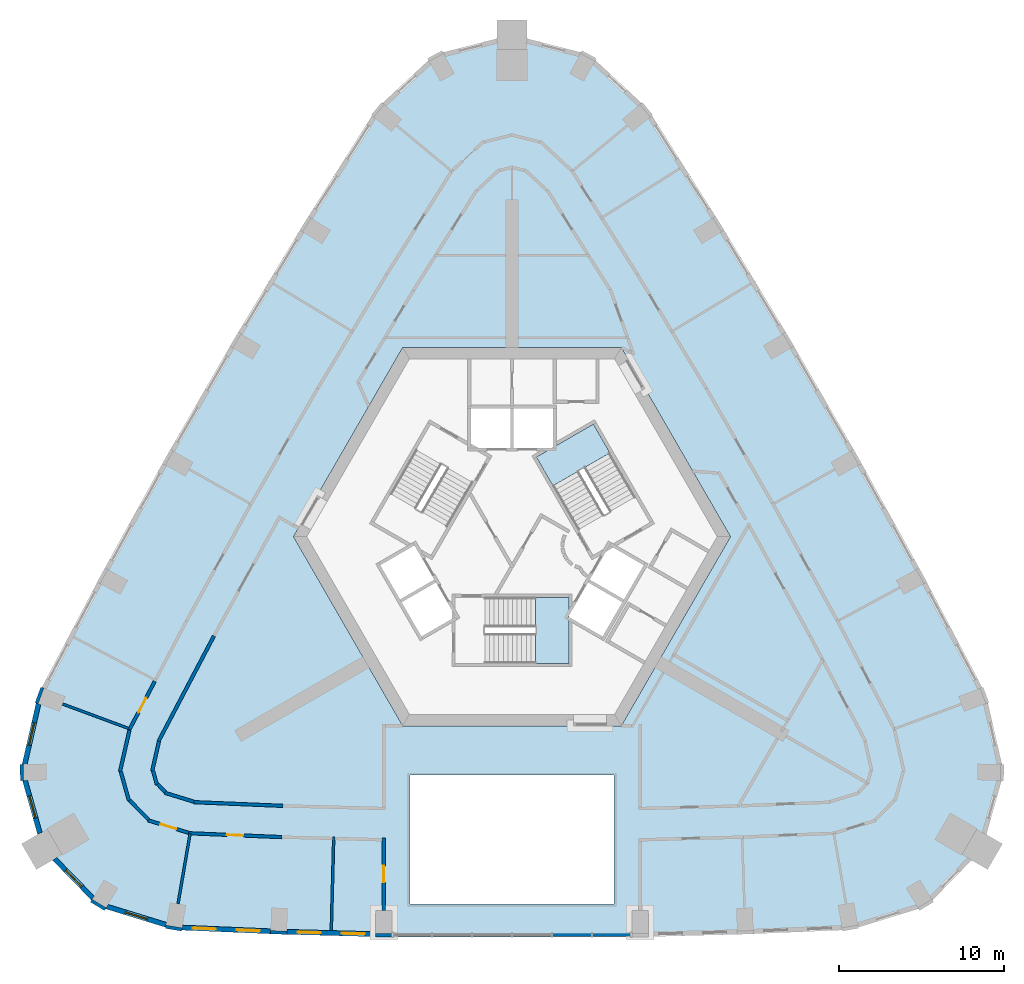
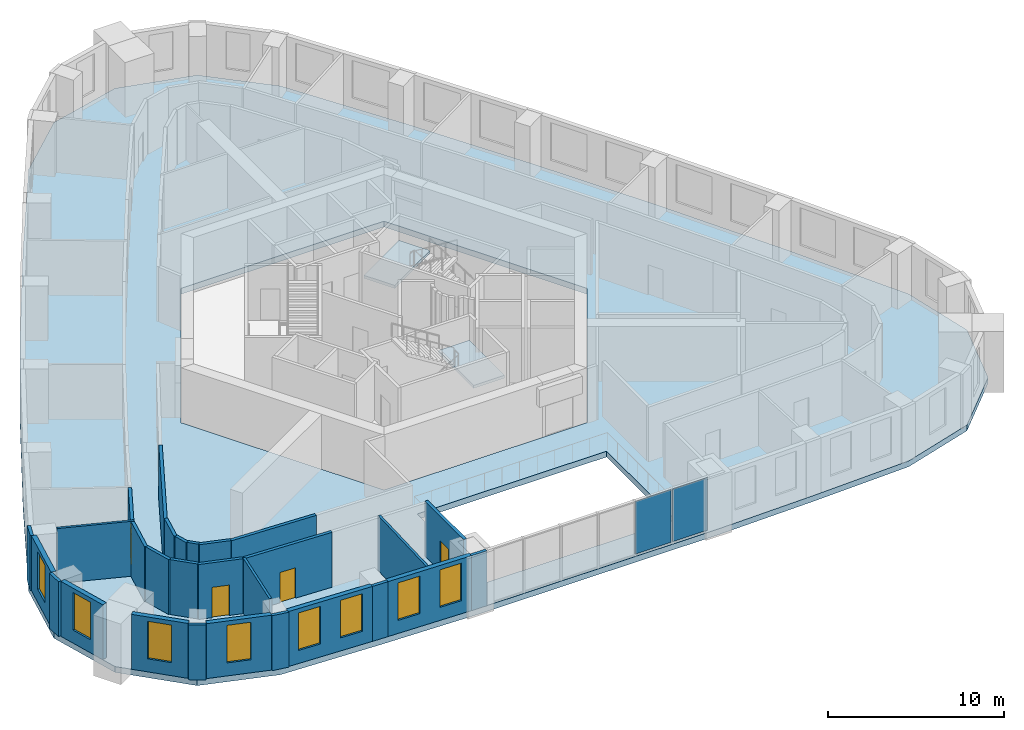
# One storey, part 3 of 11: 28 walls, 8 windows, 4 doors, 3 slabs, 2 plates, 12 openings, 3 elements without a shape of their own.
"""IFC4 building model written with IfcOpenShell, lengths in metres."""

from ifc_helpers import new_model, si_unit, direction, frame, frame_2d, origin, origin_2d, place, context, subcontext, project, spatial, polyline, rectangle, outline, extrude, material, layer, layer_set, type_object, element, fill, aggregate, save


model = new_model("IFC4")

# Units and contexts
model_context = context("Model", 3, precision=1e-05, world=origin(), true_north=direction((0.0, 1.0)))
body_context = subcontext(model_context, "Body", "Model", "MODEL_VIEW")
ifc_project = project(units=[si_unit("LENGTHUNIT", "METRE"), si_unit("AREAUNIT", "SQUARE_METRE"), si_unit("VOLUMEUNIT", "CUBIC_METRE"), si_unit("PLANEANGLEUNIT", "RADIAN"), si_unit("MASSUNIT", "GRAM", prefix="KILO")], contexts=[model_context])

# Site, building, storey
site_placement = place(None, origin())
site = spatial("IfcSite", under=ifc_project, at=site_placement, CompositionType="ELEMENT")
building_placement = place(site_placement, origin())
building = spatial("IfcBuilding", under=site, at=building_placement, Name="Entoto Arch Interchange Tower", CompositionType="ELEMENT")
storey_placement = place(building_placement, frame((0.0, 0.0, 194.0)))
storey = spatial("IfcBuildingStorey", under=building, at=storey_placement, Name="L43", CompositionType="ELEMENT", Elevation=194.0)

# Stair, slab
ifc_material_1 = material(Name="Concrete C40/50", Category="concrete")
stair_type = type_object("IfcStairType", Name="EXIT STAIR RC 1800", PredefinedType="HALF_TURN_STAIR", material=ifc_material_1)
stair_1_placement = place(storey_placement, origin())
stair_1 = element("IfcStair", 1, at=stair_1_placement, inside=storey, type_object=stair_type, Name="L43 Exit stair S", PredefinedType="HALF_TURN_STAIR")
ifc_layer_1 = layer(ifc_material_1, 0.199951171875)
ifc_layer_set_1 = layer_set([ifc_layer_1], Name="Concrete C40/50")
slab_type_1 = type_object("IfcSlabType", Name="EXIT STAIR LANDING RC 200", PredefinedType="LANDING", material=ifc_layer_set_1)
slab_1_placement = place(storey_placement, frame((0.0, 0.0, 1.89990234375)))
slab_1 = element("IfcSlab", 2, at=slab_1_placement, type_object=slab_type_1, Name="ST-S landing 1", PredefinedType="LANDING", context=body_context, shape_type="SweptSolid", body=[
    extrude(outline(polyline([(1.429931640625, -5.199951171875), (3.449951171875, -5.199951171875), (3.449951171875, -1.199951171875), (1.429931640625, -1.199951171875), (1.429931640625, -5.199951171875)])), origin(), (0.0, 0.0, 1.0), 0.2001953125),
])
aggregate(stair_1, [slab_1])

stair_2_placement = place(storey_placement, origin())
stair_2 = element("IfcStair", 3, at=stair_2_placement, inside=storey, type_object=stair_type, Name="L43 Exit stair NE", PredefinedType="HALF_TURN_STAIR")
slab_2_placement = place(storey_placement, frame((0.0, 0.0, 1.89990234375)))
slab_2 = element("IfcSlab", 4, at=slab_2_placement, type_object=slab_type_1, Name="ST-NE landing 1", PredefinedType="LANDING", context=body_context, shape_type="SweptSolid", body=[
    extrude(outline(polyline([(5.953369140625, 7.58837890625), (4.943359375, 9.337890625), (1.479248046875, 7.337890625), (2.4892578125, 5.58837890625), (5.953369140625, 7.58837890625)])), origin(), (0.0, 0.0, 1.0), 0.2001953125),
])
aggregate(stair_2, [slab_2])

# Curtain wall, plates
ifc_material_2 = material(Name="Aluminium, anodised", Category="aluminium")
curtain_wall_type = type_object("IfcCurtainWallType", Name="CURTAIN WALL ATRIUM", PredefinedType="NOTDEFINED", material=ifc_material_2)
curtain_wall_placement = place(storey_placement, origin())
curtain_wall = element("IfcCurtainWall", 5, at=curtain_wall_placement, inside=storey, type_object=curtain_wall_type, Name="Atrium glazing S-03 L43", PredefinedType="NOTDEFINED")
ifc_material_3 = material(Name="Clear glass, low-e double glazed", Category="glass")
ifc_layer_2 = layer(ifc_material_3, 0.031982421875)
ifc_layer_set_2 = layer_set([ifc_layer_2], Name="Clear glass, low-e double glazed")
plate_type = type_object("IfcPlateType", Name="GLAZING PANEL ATRIUM 32", PredefinedType="CURTAIN_PANEL", material=ifc_layer_set_2)
plate_1_placement = place(storey_placement, frame((3.6494140625, -21.701904296875, 0.080078125), z_axis=(0.0, 0.0, 1.0), x_axis=(1.0, 0.0, 0.0)))
plate_1 = element("IfcPlate", 6, at=plate_1_placement, type_object=plate_type, Name="CWA panel 5.1", PredefinedType="CURTAIN_PANEL", context=body_context, shape_type="SweptSolid", body=[
    extrude(rectangle(XDim=2.3330078125, YDim=0.031982421875, at=origin_2d()), origin(), (0.0, 0.0, 1.0), 3.639892578125),
])
plate_2_placement = place(storey_placement, frame((6.0576171875, -21.701904296875, 0.080078125), z_axis=(0.0, 0.0, 1.0), x_axis=(1.0, 0.0, 0.0)))
plate_2 = element("IfcPlate", 7, at=plate_2_placement, type_object=plate_type, Name="CWA panel 6.1", PredefinedType="CURTAIN_PANEL", context=body_context, shape_type="SweptSolid", body=[
    extrude(rectangle(XDim=2.282958984375, YDim=0.031982421875, at=origin_2d()), origin(), (0.0, 0.0, 1.0), 3.639892578125),
])
aggregate(curtain_wall, [plate_1, plate_2])

# Slab
ifc_layer_3 = layer(ifc_material_1, 0.39990234375)
ifc_layer_set_3 = layer_set([ifc_layer_3], Name="Concrete C40/50")
slab_type_2 = type_object("IfcSlabType", Name="Post-tensioned flat plate 400 C40/50", PredefinedType="FLOOR", material=ifc_layer_set_3)
slab_3_placement = place(storey_placement, frame((0.0, 0.0, -0.39990234375)))
element("IfcSlab", 8, at=slab_3_placement, inside=storey, type_object=slab_type_2, Name="Floor slab L43", PredefinedType="FLOOR", context=body_context, shape_type="SweptSolid", body=[
    extrude(outline(polyline([(-20.569091796875, -21.39208984375), (-14.18505859375, -21.658935546875), (-7.800048828125, -21.826904296875), (7.800048828125, -21.826904296875), (14.18505859375, -21.658935546875), (20.569091796875, -21.39208984375), (25.197021484375, -19.967041015625), (28.5791015625, -16.5), (29.889892578125, -11.837890625), (28.81103515625, -7.116943359375), (24.97998046875, 0.16796875), (21.006103515625, 7.3759765625), (16.89111328125, 14.50390625), (12.635009765625, 21.549072265625), (8.241943359375, 28.510009765625), (4.693115234375, 31.804931640625), (0.0, 33.0), (-4.693115234375, 31.804931640625), (-8.241943359375, 28.510009765625), (-12.635009765625, 21.549072265625), (-16.89111328125, 14.50390625), (-21.006103515625, 7.3759765625), (-24.97998046875, 0.16796875), (-28.81103515625, -7.116943359375), (-29.889892578125, -11.837890625), (-28.5791015625, -16.5), (-25.197021484375, -19.967041015625), (-20.569091796875, -21.39208984375)]), holes=[polyline([(6.199951171875, -19.826904296875), (6.199951171875, -12.0), (-6.199951171875, -12.0), (-6.199951171875, -19.826904296875), (6.199951171875, -19.826904296875)]), polyline([(13.279052734375, 2.5), (6.639892578125, 14.0), (-6.639892578125, 14.0), (-13.279052734375, 2.5), (-6.639892578125, -9.0), (6.639892578125, -9.0), (13.279052734375, 2.5)])]), origin(), (0.0, 0.0, 1.0), 0.39990234375),
])

# Walls
ifc_material_4 = material(Name="Gypsum board partition on steel studs", Category="steel")
ifc_layer_4 = layer(ifc_material_4, 0.14990234375)
ifc_layer_set_4 = layer_set([ifc_layer_4], Name="Gypsum board partition on steel studs")
wall_type_1 = type_object("IfcWallType", Name="PARTITION 150", PredefinedType="PARTITIONING", material=ifc_layer_set_4)
wall_1_placement = place(storey_placement, frame((-23.136962890625, -9.217041015625, 0.0), z_axis=(0.0, 0.0, 1.0), x_axis=(-0.937808569806, 0.34715282859, 0.0)))
element("IfcWall", 9, at=wall_1_placement, inside=storey, type_object=wall_type_1, Name="wall:L43:p120", PredefinedType="PARTITIONING", context=body_context, shape_type="SweptSolid", body=[
    extrude(rectangle(XDim=4.4306640625, YDim=0.14990234375, at=frame_2d((2.21533203125, 0.0))), origin(), (0.0, 0.0, 1.0), 3.800048828125),
])
wall_2_placement = place(storey_placement, frame((-19.56103515625, -15.529052734375, 0.0), z_axis=(0.0, 0.0, 1.0), x_axis=(-0.169546150064, -0.98552224886, 0.0)))
element("IfcWall", 10, at=wall_2_placement, inside=storey, type_object=wall_type_1, Name="wall:L43:p121", PredefinedType="PARTITIONING", context=body_context, shape_type="SweptSolid", body=[
    extrude(rectangle(XDim=4.32861328125, YDim=0.14990234375, at=frame_2d((2.164306640625, 0.0))), origin(), (0.0, 0.0, 1.0), 3.800048828125),
])
wall_3_placement = place(storey_placement, frame((-10.833984375, -15.7451171875, 0.0), z_axis=(0.0, 0.0, 1.0), x_axis=(-0.026298797458, -0.999654126812, 0.0)))
element("IfcWall", 11, at=wall_3_placement, inside=storey, type_object=wall_type_1, Name="wall:L43:p122", PredefinedType="PARTITIONING", context=body_context, shape_type="SweptSolid", body=[
    extrude(rectangle(XDim=5.699951171875, YDim=0.14990234375, at=frame_2d((2.85009765625, 0.0))), origin(), (0.0, 0.0, 1.0), 3.800048828125),
])
ifc_layer_5 = layer(ifc_material_4, 0.199951171875)
ifc_layer_set_5 = layer_set([ifc_layer_5], Name="Gypsum board partition on steel studs")
wall_type_2 = type_object("IfcWallType", Name="PARTITION 200", PredefinedType="PARTITIONING", material=ifc_layer_set_5)
wall_4_placement = place(storey_placement, frame((-18.112060546875, -3.531005859375, 0.0), z_axis=(0.0, 0.0, 1.0), x_axis=(-0.465461327558, -0.885068219149, 0.0)))
element("IfcWall", 12, at=wall_4_placement, inside=storey, type_object=wall_type_2, Name="wall:L43:p026", PredefinedType="PARTITIONING", context=body_context, shape_type="SweptSolid", body=[
    extrude(rectangle(XDim=7.235595703125, YDim=0.199951171875, at=frame_2d((3.61767578125, 0.0))), origin(), (0.0, 0.0, 1.0), 3.800048828125),
])
wall_5_placement = place(storey_placement, frame((-21.4560546875, -9.944091796875, 0.0), z_axis=(0.0, 0.0, 1.0), x_axis=(-0.222871656966, -0.974847795567, 0.0)))
element("IfcWall", 13, at=wall_5_placement, inside=storey, type_object=wall_type_2, Name="wall:L43:p027", PredefinedType="PARTITIONING", context=body_context, shape_type="SweptSolid", body=[
    extrude(rectangle(XDim=1.839111328125, YDim=0.199951171875, at=frame_2d((0.91943359375, 0.0))), origin(), (0.0, 0.0, 1.0), 3.800048828125),
])
wall_6_placement = place(storey_placement, frame((-21.81591796875, -11.735107421875, 0.0), z_axis=(0.0, 0.0, 1.0), x_axis=(0.270192443589, -0.962806337447, 0.0)))
element("IfcWall", 14, at=wall_6_placement, inside=storey, type_object=wall_type_2, Name="wall:L43:p028", PredefinedType="PARTITIONING", context=body_context, shape_type="SweptSolid", body=[
    extrude(rectangle(XDim=0.869140625, YDim=0.199951171875, at=frame_2d((0.4345703125, 0.0))), origin(), (0.0, 0.0, 1.0), 3.800048828125),
])
wall_7_placement = place(storey_placement, frame((-21.5380859375, -12.547119140625, 0.0), z_axis=(0.0, 0.0, 1.0), x_axis=(0.697542638825, -0.716543276446, 0.0)))
element("IfcWall", 15, at=wall_7_placement, inside=storey, type_object=wall_type_2, Name="wall:L43:p029", PredefinedType="PARTITIONING", context=body_context, shape_type="SweptSolid", body=[
    extrude(rectangle(XDim=0.668212890625, YDim=0.199951171875, at=frame_2d((0.333984375, 0.0))), origin(), (0.0, 0.0, 1.0), 3.800048828125),
])
wall_8_placement = place(storey_placement, frame((-21.096923828125, -13.068115234375, 0.0), z_axis=(0.0, 0.0, 1.0), x_axis=(0.955790442908, -0.294048685161, 0.0)))
element("IfcWall", 16, at=wall_8_placement, inside=storey, type_object=wall_type_2, Name="wall:L43:p030", PredefinedType="PARTITIONING", context=body_context, shape_type="SweptSolid", body=[
    extrude(rectangle(XDim=1.846435546875, YDim=0.199951171875, at=frame_2d((0.92333984375, 0.0))), origin(), (0.0, 0.0, 1.0), 3.800048828125),
])
wall_9_placement = place(storey_placement, frame((-19.3359375, -13.636962890625, 0.0), z_axis=(0.0, 0.0, 1.0), x_axis=(0.999130261307, -0.041697972867, 0.0)))
element("IfcWall", 17, at=wall_9_placement, inside=storey, type_object=wall_type_2, Name="wall:L43:p031", PredefinedType="PARTITIONING", context=body_context, shape_type="SweptSolid", body=[
    extrude(rectangle(XDim=5.421630859375, YDim=0.199951171875, at=frame_2d((2.7109375, 0.0))), origin(), (0.0, 0.0, 1.0), 3.800048828125),
])

# Wall, opening, door
wall_10_placement = place(storey_placement, frame((-23.241943359375, -9.2041015625, 0.0), z_axis=(0.0, 0.0, 1.0), x_axis=(0.465431933571, 0.885083676955, 0.0)))
wall_10 = element("IfcWall", 18, at=wall_10_placement, inside=storey, type_object=wall_type_2, Name="wall:L43:p058", PredefinedType="PARTITIONING", context=body_context, shape_type="SweptSolid", body=[
    extrude(rectangle(XDim=3.295654296875, YDim=0.199951171875, at=frame_2d((1.64794921875, 0.0))), origin(), (0.0, 0.0, 1.0), 3.800048828125),
])
opening_1_placement = place(wall_10_placement, frame((1.14794921875, 0.0, 0.0)))
opening_1 = element("IfcOpeningElement", 19, at=opening_1_placement, cuts=wall_10, Name="Opening L43-D13", PredefinedType="OPENING", context=body_context, shape_type="SweptSolid", body=[
    extrude(rectangle(XDim=1.0, YDim=2.10009765625, at=frame_2d((0.5, 1.050048828125))), frame((0.0, 0.10986328125, 0.0), z_axis=(0.0, -1.0, 0.0), x_axis=(1.0, 0.0, 0.0)), (0.0, 0.0, 1.0), 0.219970703125),
])
ifc_material_5 = material(Name="Timber door leaf in Steel S235 frame", Category="steel")
door_type = type_object("IfcDoorType", Name="DOOR DS-10 1000x2100", OperationType="SINGLE_SWING_LEFT", PredefinedType="DOOR", material=ifc_material_5)
door_1_placement = place(opening_1_placement, origin())
door_1 = element("IfcDoor", 20, at=door_1_placement, inside=storey, type_object=door_type, Name="door:L43:13", OperationType="SINGLE_SWING_RIGHT", OverallHeight=2.10009765625, OverallWidth=1.0, PredefinedType="DOOR", context=body_context, shape_type="SweptSolid", body=[
    extrude(rectangle(XDim=1.0, YDim=2.10009765625, at=frame_2d((0.5, 1.050048828125))), frame((0.0, 0.02490234375, 0.0), z_axis=(0.0, -1.0, 0.0), x_axis=(1.0, 0.0, 0.0)), (0.0, 0.0, 1.0), 0.050048828125),
])
fill(opening_1, door_1)

wall_11_placement = place(storey_placement, frame((-19.656982421875, -15.5, 0.0), z_axis=(0.0, 0.0, 1.0), x_axis=(-0.955612889251, 0.294625195625, 0.0)))
wall_11 = element("IfcWall", 21, at=wall_11_placement, inside=storey, type_object=wall_type_2, Name="wall:L43:p059", PredefinedType="PARTITIONING", context=body_context, shape_type="SweptSolid", body=[
    extrude(rectangle(XDim=2.576171875, YDim=0.199951171875, at=frame_2d((1.2880859375, 0.0))), origin(), (0.0, 0.0, 1.0), 3.800048828125),
])
opening_2_placement = place(wall_11_placement, frame((0.7880859375, 0.0, 0.0)))
opening_2 = element("IfcOpeningElement", 22, at=opening_2_placement, cuts=wall_11, Name="Opening L43-D14", PredefinedType="OPENING", context=body_context, shape_type="SweptSolid", body=[
    extrude(rectangle(XDim=1.0, YDim=2.10009765625, at=frame_2d((0.5, 1.050048828125))), frame((0.0, 0.10986328125, 0.0), z_axis=(0.0, -1.0, 0.0), x_axis=(1.0, 0.0, 0.0)), (0.0, 0.0, 1.0), 0.219970703125),
])
door_2_placement = place(opening_2_placement, origin())
door_2 = element("IfcDoor", 23, at=door_2_placement, inside=storey, type_object=door_type, Name="door:L43:14", OperationType="SINGLE_SWING_LEFT", OverallHeight=2.10009765625, OverallWidth=1.0, PredefinedType="DOOR", context=body_context, shape_type="SweptSolid", body=[
    extrude(rectangle(XDim=1.0, YDim=2.10009765625, at=frame_2d((0.5, 1.050048828125))), frame((0.0, 0.02490234375, 0.0), z_axis=(0.0, -1.0, 0.0), x_axis=(1.0, 0.0, 0.0)), (0.0, 0.0, 1.0), 0.050048828125),
])
fill(opening_2, door_2)

# Walls
wall_12_placement = place(storey_placement, frame((-22.093017578125, -14.698974609375, 0.0), z_axis=(0.0, 0.0, 1.0), x_axis=(-0.698551276451, 0.715560000397, 0.0)))
element("IfcWall", 24, at=wall_12_placement, inside=storey, type_object=wall_type_2, Name="wall:L43:p060", PredefinedType="PARTITIONING", context=body_context, shape_type="SweptSolid", body=[
    extrude(rectangle(XDim=1.63623046875, YDim=0.199951171875, at=frame_2d((0.818115234375, 0.0))), origin(), (0.0, 0.0, 1.0), 3.800048828125),
])
wall_13_placement = place(storey_placement, frame((-23.279052734375, -13.552001953125, 0.0), z_axis=(0.0, 0.0, 1.0), x_axis=(-0.270522287318, 0.962713712411, 0.0)))
element("IfcWall", 25, at=wall_13_placement, inside=storey, type_object=wall_type_2, Name="wall:L43:p061", PredefinedType="PARTITIONING", context=body_context, shape_type="SweptSolid", body=[
    extrude(rectangle(XDim=1.83642578125, YDim=0.199951171875, at=frame_2d((0.918212890625, 0.0))), origin(), (0.0, 0.0, 1.0), 3.800048828125),
])
wall_14_placement = place(storey_placement, frame((-23.825927734375, -11.784912109375, 0.0), z_axis=(0.0, 0.0, 1.0), x_axis=(0.222909903746, 0.974839050722, 0.0)))
element("IfcWall", 26, at=wall_14_placement, inside=storey, type_object=wall_type_2, Name="wall:L43:p062", PredefinedType="PARTITIONING", context=body_context, shape_type="SweptSolid", body=[
    extrude(rectangle(XDim=2.570556640625, YDim=0.199951171875, at=frame_2d((1.28515625, 0.0))), origin(), (0.0, 0.0, 1.0), 3.800048828125),
])

# Wall, opening, door
wall_15_placement = place(storey_placement, frame((-13.98388671875, -15.761962890625, 0.0), z_axis=(0.0, 0.0, 1.0), x_axis=(-0.999129271091, 0.041721692781, 0.0)))
wall_15 = element("IfcWall", 27, at=wall_15_placement, inside=storey, type_object=wall_type_2, Name="wall:L43:p064", PredefinedType="PARTITIONING", context=body_context, shape_type="SweptSolid", body=[
    extrude(rectangle(XDim=5.681884765625, YDim=0.199951171875, at=frame_2d((2.8408203125, 0.0))), origin(), (0.0, 0.0, 1.0), 3.800048828125),
])
opening_3_placement = place(wall_15_placement, frame((2.341064453125, 0.0, 0.0)))
opening_3 = element("IfcOpeningElement", 28, at=opening_3_placement, cuts=wall_15, Name="Opening L43-D15", PredefinedType="OPENING", context=body_context, shape_type="SweptSolid", body=[
    extrude(rectangle(XDim=1.0, YDim=2.10009765625, at=frame_2d((0.5, 1.050048828125))), frame((0.0, 0.10986328125, 0.0), z_axis=(0.0, -1.0, 0.0), x_axis=(1.0, 0.0, 0.0)), (0.0, 0.0, 1.0), 0.219970703125),
])
door_3_placement = place(opening_3_placement, origin())
door_3 = element("IfcDoor", 29, at=door_3_placement, inside=storey, type_object=door_type, Name="door:L43:15", OperationType="SINGLE_SWING_LEFT", OverallHeight=2.10009765625, OverallWidth=1.0, PredefinedType="DOOR", context=body_context, shape_type="SweptSolid", body=[
    extrude(rectangle(XDim=1.0, YDim=2.10009765625, at=frame_2d((0.5, 1.050048828125))), frame((0.0, 0.02490234375, 0.0), z_axis=(0.0, -1.0, 0.0), x_axis=(1.0, 0.0, 0.0)), (0.0, 0.0, 1.0), 0.050048828125),
])
fill(opening_3, door_3)

wall_16_placement = place(storey_placement, frame((-7.800048828125, -20.20703125, 0.0), z_axis=(0.0, 0.0, 1.0), x_axis=(0.0, 1.0, 0.0)))
wall_16 = element("IfcWall", 30, at=wall_16_placement, inside=storey, type_object=wall_type_2, Name="wall:L43:p098", PredefinedType="PARTITIONING", context=body_context, shape_type="SweptSolid", body=[
    extrude(rectangle(XDim=4.382080078125, YDim=0.199951171875, at=frame_2d((2.19091796875, 0.0))), origin(), (0.0, 0.0, 1.0), 3.800048828125),
])
opening_4_placement = place(wall_16_placement, frame((1.69091796875, 0.0, 0.0)))
opening_4 = element("IfcOpeningElement", 31, at=opening_4_placement, cuts=wall_16, Name="Opening L43-D16", PredefinedType="OPENING", context=body_context, shape_type="SweptSolid", body=[
    extrude(rectangle(XDim=1.0, YDim=2.10009765625, at=frame_2d((0.5, 1.050048828125))), frame((0.0, 0.10986328125, 0.0), z_axis=(0.0, -1.0, 0.0), x_axis=(1.0, 0.0, 0.0)), (0.0, 0.0, 1.0), 0.219970703125),
])
door_4_placement = place(opening_4_placement, origin())
door_4 = element("IfcDoor", 32, at=door_4_placement, inside=storey, type_object=door_type, Name="door:L43:16", OperationType="SINGLE_SWING_LEFT", OverallHeight=2.10009765625, OverallWidth=1.0, PredefinedType="DOOR", context=body_context, shape_type="SweptSolid", body=[
    extrude(rectangle(XDim=1.0, YDim=2.10009765625, at=frame_2d((0.5, 1.050048828125))), frame((0.0, 0.02490234375, 0.0), z_axis=(0.0, -1.0, 0.0), x_axis=(1.0, 0.0, 0.0)), (0.0, 0.0, 1.0), 0.050048828125),
])
fill(opening_4, door_4)

# Wall, openings, windows
ifc_material_6 = material(Name="Welded tuff (ignimbrite) cladding, warm buff", Category="masonry")
ifc_layer_6 = layer(ifc_material_6, 0.300048828125)
ifc_layer_set_6 = layer_set([ifc_layer_6], Name="Welded tuff (ignimbrite) cladding, warm buff")
wall_type_3 = type_object("IfcWallType", Name="STONE INFILL WALL 300", PredefinedType="STANDARD", material=ifc_layer_set_6)
wall_17_placement = place(storey_placement, frame((-20.041015625, -21.263916015625, 0.0), z_axis=(0.0, 0.0, 1.0), x_axis=(0.999127941775, -0.041753514387, 0.0)))
wall_17 = element("IfcWall", 33, at=wall_17_placement, inside=storey, type_object=wall_type_3, Name="Facade wall S-01 L43", PredefinedType="STANDARD", context=body_context, shape_type="SweptSolid", body=[
    extrude(rectangle(XDim=5.36767578125, YDim=0.300048828125, at=frame_2d((2.683837890625, 0.0))), origin(), (0.0, 0.0, 1.0), 3.800048828125),
])
opening_5_placement = place(wall_17_placement, frame((0.64208984375, 0.0, 0.89990234375)))
opening_5 = element("IfcOpeningElement", 34, at=opening_5_placement, cuts=wall_17, Name="Opening WO-B", PredefinedType="OPENING", context=body_context, shape_type="SweptSolid", body=[
    extrude(rectangle(XDim=1.39990234375, YDim=2.60009765625, at=frame_2d((0.699951171875, 1.300048828125))), frame((0.0, 0.16015625, 0.0), z_axis=(0.0, -1.0, 0.0), x_axis=(1.0, 0.0, 0.0)), (0.0, 0.0, 1.0), 0.320068359375),
])
opening_6_placement = place(wall_17_placement, frame((3.325927734375, 0.0, 0.89990234375)))
opening_6 = element("IfcOpeningElement", 35, at=opening_6_placement, cuts=wall_17, Name="Opening WO-B", PredefinedType="OPENING", context=body_context, shape_type="SweptSolid", body=[
    extrude(rectangle(XDim=1.39990234375, YDim=2.60009765625, at=frame_2d((0.699951171875, 1.300048828125))), frame((0.0, 0.16015625, 0.0), z_axis=(0.0, -1.0, 0.0), x_axis=(1.0, 0.0, 0.0)), (0.0, 0.0, 1.0), 0.320068359375),
])
window_type = type_object("IfcWindowType", Name="WINDOW WO-B 1400x2600", PartitioningType="DOUBLE_PANEL_VERTICAL", PredefinedType="WINDOW", material=ifc_material_3)
window_1_placement = place(opening_5_placement, origin())
window_1 = element("IfcWindow", 36, at=window_1_placement, inside=storey, type_object=window_type, Name="Window WO-B S-01 L43", OverallHeight=2.60009765625, OverallWidth=1.39990234375, PartitioningType="SINGLE_PANEL", PredefinedType="WINDOW", context=body_context, shape_type="SweptSolid", body=[
    extrude(rectangle(XDim=1.39990234375, YDim=2.60009765625, at=frame_2d((0.699951171875, 1.300048828125))), frame((0.0, 0.030029296875, 0.0), z_axis=(0.0, -1.0, 0.0), x_axis=(1.0, 0.0, 0.0)), (0.0, 0.0, 1.0), 0.06005859375),
])
fill(opening_5, window_1)
window_2_placement = place(opening_6_placement, origin())
window_2 = element("IfcWindow", 37, at=window_2_placement, inside=storey, type_object=window_type, Name="Window WO-B S-01 L43", OverallHeight=2.60009765625, OverallWidth=1.39990234375, PartitioningType="SINGLE_PANEL", PredefinedType="WINDOW", context=body_context, shape_type="SweptSolid", body=[
    extrude(rectangle(XDim=1.39990234375, YDim=2.60009765625, at=frame_2d((0.699951171875, 1.300048828125))), frame((0.0, 0.030029296875, 0.0), z_axis=(0.0, -1.0, 0.0), x_axis=(1.0, 0.0, 0.0)), (0.0, 0.0, 1.0), 0.06005859375),
])
fill(opening_6, window_2)

wall_18_placement = place(storey_placement, frame((-13.680908203125, -21.52197265625, 0.0), z_axis=(0.0, 0.0, 1.0), x_axis=(0.999651908676, -0.026382977093, 0.0)))
wall_18 = element("IfcWall", 38, at=wall_18_placement, inside=storey, type_object=wall_type_3, Name="Facade wall S-02 L43", PredefinedType="STANDARD", context=body_context, shape_type="SweptSolid", body=[
    extrude(rectangle(XDim=5.3857421875, YDim=0.300048828125, at=frame_2d((2.69287109375, 0.0))), origin(), (0.0, 0.0, 1.0), 3.800048828125),
])
opening_7_placement = place(wall_18_placement, frame((0.64599609375, 0.0, 0.89990234375)))
opening_7 = element("IfcOpeningElement", 39, at=opening_7_placement, cuts=wall_18, Name="Opening WO-B", PredefinedType="OPENING", context=body_context, shape_type="SweptSolid", body=[
    extrude(rectangle(XDim=1.39990234375, YDim=2.60009765625, at=frame_2d((0.699951171875, 1.300048828125))), frame((0.0, 0.16015625, 0.0), z_axis=(0.0, -1.0, 0.0), x_axis=(1.0, 0.0, 0.0)), (0.0, 0.0, 1.0), 0.320068359375),
])
opening_8_placement = place(wall_18_placement, frame((3.339111328125, 0.0, 0.89990234375)))
opening_8 = element("IfcOpeningElement", 40, at=opening_8_placement, cuts=wall_18, Name="Opening WO-B", PredefinedType="OPENING", context=body_context, shape_type="SweptSolid", body=[
    extrude(rectangle(XDim=1.39990234375, YDim=2.60009765625, at=frame_2d((0.699951171875, 1.300048828125))), frame((0.0, 0.16015625, 0.0), z_axis=(0.0, -1.0, 0.0), x_axis=(1.0, 0.0, 0.0)), (0.0, 0.0, 1.0), 0.320068359375),
])
window_3_placement = place(opening_7_placement, origin())
window_3 = element("IfcWindow", 41, at=window_3_placement, inside=storey, type_object=window_type, Name="Window WO-B S-02 L43", OverallHeight=2.60009765625, OverallWidth=1.39990234375, PartitioningType="SINGLE_PANEL", PredefinedType="WINDOW", context=body_context, shape_type="SweptSolid", body=[
    extrude(rectangle(XDim=1.39990234375, YDim=2.60009765625, at=frame_2d((0.699951171875, 1.300048828125))), frame((0.0, 0.030029296875, 0.0), z_axis=(0.0, -1.0, 0.0), x_axis=(1.0, 0.0, 0.0)), (0.0, 0.0, 1.0), 0.06005859375),
])
fill(opening_7, window_3)
window_4_placement = place(opening_8_placement, origin())
window_4 = element("IfcWindow", 42, at=window_4_placement, inside=storey, type_object=window_type, Name="Window WO-B S-02 L43", OverallHeight=2.60009765625, OverallWidth=1.39990234375, PartitioningType="SINGLE_PANEL", PredefinedType="WINDOW", context=body_context, shape_type="SweptSolid", body=[
    extrude(rectangle(XDim=1.39990234375, YDim=2.60009765625, at=frame_2d((0.699951171875, 1.300048828125))), frame((0.0, 0.030029296875, 0.0), z_axis=(0.0, -1.0, 0.0), x_axis=(1.0, 0.0, 0.0)), (0.0, 0.0, 1.0), 0.06005859375),
])
fill(opening_8, window_4)

# Wall, opening, window
wall_19_placement = place(storey_placement, frame((-28.781005859375, -7.659912109375, 0.0), z_axis=(0.0, 0.0, 1.0), x_axis=(-0.223013094864, -0.974815448954, 0.0)))
wall_19 = element("IfcWall", 43, at=wall_19_placement, inside=storey, type_object=wall_type_3, Name="Facade wall SW-01 L43", PredefinedType="STANDARD", context=body_context, shape_type="SweptSolid", body=[
    extrude(rectangle(XDim=3.76708984375, YDim=0.300048828125, at=frame_2d((1.883544921875, 0.0))), origin(), (0.0, 0.0, 1.0), 3.800048828125),
])
opening_9_placement = place(wall_19_placement, frame((1.18310546875, 0.0, 0.89990234375)))
opening_9 = element("IfcOpeningElement", 44, at=opening_9_placement, cuts=wall_19, Name="Opening WO-B", PredefinedType="OPENING", context=body_context, shape_type="SweptSolid", body=[
    extrude(rectangle(XDim=1.39990234375, YDim=2.60009765625, at=frame_2d((0.699951171875, 1.300048828125))), frame((0.0, 0.16015625, 0.0), z_axis=(0.0, -1.0, 0.0), x_axis=(1.0, 0.0, 0.0)), (0.0, 0.0, 1.0), 0.320068359375),
])
window_5_placement = place(opening_9_placement, origin())
window_5 = element("IfcWindow", 45, at=window_5_placement, inside=storey, type_object=window_type, Name="Window WO-B SW-01 L43", OverallHeight=2.60009765625, OverallWidth=1.39990234375, PartitioningType="SINGLE_PANEL", PredefinedType="WINDOW", context=body_context, shape_type="SweptSolid", body=[
    extrude(rectangle(XDim=1.39990234375, YDim=2.60009765625, at=frame_2d((0.699951171875, 1.300048828125))), frame((0.0, 0.030029296875, 0.0), z_axis=(0.0, -1.0, 0.0), x_axis=(1.0, 0.0, 0.0)), (0.0, 0.0, 1.0), 0.06005859375),
])
fill(opening_9, window_5)

wall_20_placement = place(storey_placement, frame((-29.595947265625, -12.330078125, 0.0), z_axis=(0.0, 0.0, 1.0), x_axis=(0.270798765166, -0.962635979374, 0.0)))
wall_20 = element("IfcWall", 46, at=wall_20_placement, inside=storey, type_object=wall_type_3, Name="Facade wall SW-02 L43", PredefinedType="STANDARD", context=body_context, shape_type="SweptSolid", body=[
    extrude(rectangle(XDim=3.3232421875, YDim=0.300048828125, at=frame_2d((1.66162109375, 0.0))), origin(), (0.0, 0.0, 1.0), 3.800048828125),
])
opening_10_placement = place(wall_20_placement, frame((0.9619140625, 0.0, 0.89990234375)))
opening_10 = element("IfcOpeningElement", 47, at=opening_10_placement, cuts=wall_20, Name="Opening WO-B", PredefinedType="OPENING", context=body_context, shape_type="SweptSolid", body=[
    extrude(rectangle(XDim=1.39990234375, YDim=2.60009765625, at=frame_2d((0.699951171875, 1.300048828125))), frame((0.0, 0.16015625, 0.0), z_axis=(0.0, -1.0, 0.0), x_axis=(1.0, 0.0, 0.0)), (0.0, 0.0, 1.0), 0.320068359375),
])
window_6_placement = place(opening_10_placement, origin())
window_6 = element("IfcWindow", 48, at=window_6_placement, inside=storey, type_object=window_type, Name="Window WO-B SW-02 L43", OverallHeight=2.60009765625, OverallWidth=1.39990234375, PartitioningType="SINGLE_PANEL", PredefinedType="WINDOW", context=body_context, shape_type="SweptSolid", body=[
    extrude(rectangle(XDim=1.39990234375, YDim=2.60009765625, at=frame_2d((0.699951171875, 1.300048828125))), frame((0.0, 0.030029296875, 0.0), z_axis=(0.0, -1.0, 0.0), x_axis=(1.0, 0.0, 0.0)), (0.0, 0.0, 1.0), 0.06005859375),
])
fill(opening_10, window_6)

wall_21_placement = place(storey_placement, frame((-27.797119140625, -17.0869140625, 0.0), z_axis=(0.0, 0.0, 1.0), x_axis=(0.698311919602, -0.71579358962, 0.0)))
wall_21 = element("IfcWall", 49, at=wall_21_placement, inside=storey, type_object=wall_type_3, Name="Facade wall SW-03 L43", PredefinedType="STANDARD", context=body_context, shape_type="SweptSolid", body=[
    extrude(rectangle(XDim=3.32373046875, YDim=0.300048828125, at=frame_2d((1.661865234375, 0.0))), origin(), (0.0, 0.0, 1.0), 3.800048828125),
])
opening_11_placement = place(wall_21_placement, frame((0.9619140625, 0.0, 0.89990234375)))
opening_11 = element("IfcOpeningElement", 50, at=opening_11_placement, cuts=wall_21, Name="Opening WO-B", PredefinedType="OPENING", context=body_context, shape_type="SweptSolid", body=[
    extrude(rectangle(XDim=1.39990234375, YDim=2.60009765625, at=frame_2d((0.699951171875, 1.300048828125))), frame((0.0, 0.16015625, 0.0), z_axis=(0.0, -1.0, 0.0), x_axis=(1.0, 0.0, 0.0)), (0.0, 0.0, 1.0), 0.320068359375),
])
window_7_placement = place(opening_11_placement, origin())
window_7 = element("IfcWindow", 51, at=window_7_placement, inside=storey, type_object=window_type, Name="Window WO-B SW-03 L43", OverallHeight=2.60009765625, OverallWidth=1.39990234375, PartitioningType="SINGLE_PANEL", PredefinedType="WINDOW", context=body_context, shape_type="SweptSolid", body=[
    extrude(rectangle(XDim=1.39990234375, YDim=2.60009765625, at=frame_2d((0.699951171875, 1.300048828125))), frame((0.0, 0.030029296875, 0.0), z_axis=(0.0, -1.0, 0.0), x_axis=(1.0, 0.0, 0.0)), (0.0, 0.0, 1.0), 0.06005859375),
])
fill(opening_11, window_7)

wall_22_placement = place(storey_placement, frame((-24.6240234375, -19.986083984375, 0.0), z_axis=(0.0, 0.0, 1.0), x_axis=(0.955692086233, -0.29436819854, 0.0)))
wall_22 = element("IfcWall", 52, at=wall_22_placement, inside=storey, type_object=wall_type_3, Name="Facade wall SW-04 L43", PredefinedType="STANDARD", context=body_context, shape_type="SweptSolid", body=[
    extrude(rectangle(XDim=3.76708984375, YDim=0.300048828125, at=frame_2d((1.883544921875, 0.0))), origin(), (0.0, 0.0, 1.0), 3.800048828125),
])
opening_12_placement = place(wall_22_placement, frame((1.18310546875, 0.0, 0.89990234375)))
opening_12 = element("IfcOpeningElement", 53, at=opening_12_placement, cuts=wall_22, Name="Opening WO-B", PredefinedType="OPENING", context=body_context, shape_type="SweptSolid", body=[
    extrude(rectangle(XDim=1.39990234375, YDim=2.60009765625, at=frame_2d((0.699951171875, 1.300048828125))), frame((0.0, 0.16015625, 0.0), z_axis=(0.0, -1.0, 0.0), x_axis=(1.0, 0.0, 0.0)), (0.0, 0.0, 1.0), 0.320068359375),
])
window_8_placement = place(opening_12_placement, origin())
window_8 = element("IfcWindow", 54, at=window_8_placement, inside=storey, type_object=window_type, Name="Window WO-B SW-04 L43", OverallHeight=2.60009765625, OverallWidth=1.39990234375, PartitioningType="SINGLE_PANEL", PredefinedType="WINDOW", context=body_context, shape_type="SweptSolid", body=[
    extrude(rectangle(XDim=1.39990234375, YDim=2.60009765625, at=frame_2d((0.699951171875, 1.300048828125))), frame((0.0, 0.030029296875, 0.0), z_axis=(0.0, -1.0, 0.0), x_axis=(1.0, 0.0, 0.0)), (0.0, 0.0, 1.0), 0.06005859375),
])
fill(opening_12, window_8)

# Walls
ifc_layer_7 = layer(ifc_material_6, 0.199951171875)
ifc_layer_set_7 = layer_set([ifc_layer_7], Name="Welded tuff (ignimbrite) cladding, warm buff")
wall_type_4 = type_object("IfcWallType", Name="STONE PIER CLADDING 200", PredefinedType="STANDARD", material=ifc_layer_set_7)
for number, where, z_axis, x_axis, name in (
    (55, (-28.5439453125, -6.68310546875, 0.0), (0.0, 0.0, 1.0), (-0.347107644204, -0.937825294677, 0.0), "Stone pier NW06 L43"),
    (56, (-21.044921875, -21.208984375, 0.0), (0.0, 0.0, 1.0), (0.985631544579, -0.168909615862, 0.0), "Stone pier S01 L43"),
):
    element("IfcWall", number, at=place(storey_placement, frame(where, z_axis=z_axis, x_axis=x_axis)), inside=storey, type_object=wall_type_4, Name=name, PredefinedType="STANDARD", context=body_context, shape_type="SweptSolid", body=[
        extrude(rectangle(XDim=1.000244140625, YDim=0.199951171875, at=frame_2d((0.5, 0.0))), origin(), (0.0, 0.0, 1.0), 3.800048828125),
    ])
wall_23_placement = place(storey_placement, frame((-14.680908203125, -21.5419921875, 0.0), z_axis=(0.0, 0.0, 1.0), x_axis=(0.999423561854, -0.033949138587, 0.0)))
element("IfcWall", 57, at=wall_23_placement, inside=storey, type_object=wall_type_4, Name="Stone pier S02 L43", PredefinedType="STANDARD", context=body_context, shape_type="SweptSolid", body=[
    extrude(rectangle(XDim=0.99951171875, YDim=0.199951171875, at=frame_2d((0.499755859375, 0.0))), origin(), (0.0, 0.0, 1.0), 3.800048828125),
])
wall_24_placement = place(storey_placement, frame((-8.299072265625, -21.719970703125, 0.0), z_axis=(0.0, 0.0, 1.0), x_axis=(0.999903186316, -0.013914668364, 0.0)))
element("IfcWall", 58, at=wall_24_placement, inside=storey, type_object=wall_type_4, Name="Stone pier S03 L43", PredefinedType="STANDARD", context=body_context, shape_type="SweptSolid", body=[
    extrude(rectangle(XDim=1.0, YDim=0.199951171875, at=frame_2d((0.5, 0.0))), origin(), (0.0, 0.0, 1.0), 3.800048828125),
])
wall_25_placement = place(storey_placement, frame((-29.802001953125, -11.3359375, 0.0), z_axis=(0.0, 0.0, 1.0), x_axis=(0.023942303888, -0.999713341956, 0.0)))
element("IfcWall", 59, at=wall_25_placement, inside=storey, type_object=wall_type_4, Name="Stone pier SW1 L43", PredefinedType="STANDARD", context=body_context, shape_type="SweptSolid", body=[
    extrude(rectangle(XDim=0.999267578125, YDim=0.199951171875, at=frame_2d((0.49951171875, 0.0))), origin(), (0.0, 0.0, 1.0), 3.800048828125),
])
wall_26_placement = place(storey_placement, frame((-25.572021484375, -19.62109375, 0.0), z_axis=(0.0, 0.0, 1.0), x_axis=(0.853679739553, -0.520798331677, 0.0)))
element("IfcWall", 60, at=wall_26_placement, inside=storey, type_object=wall_type_4, Name="Stone pier SW3 L43", PredefinedType="STANDARD", context=body_context, shape_type="SweptSolid", body=[
    extrude(rectangle(XDim=1.00048828125, YDim=0.199951171875, at=frame_2d((0.500244140625, 0.0))), origin(), (0.0, 0.0, 1.0), 3.800048828125),
])

save(model, "model.ifc")
